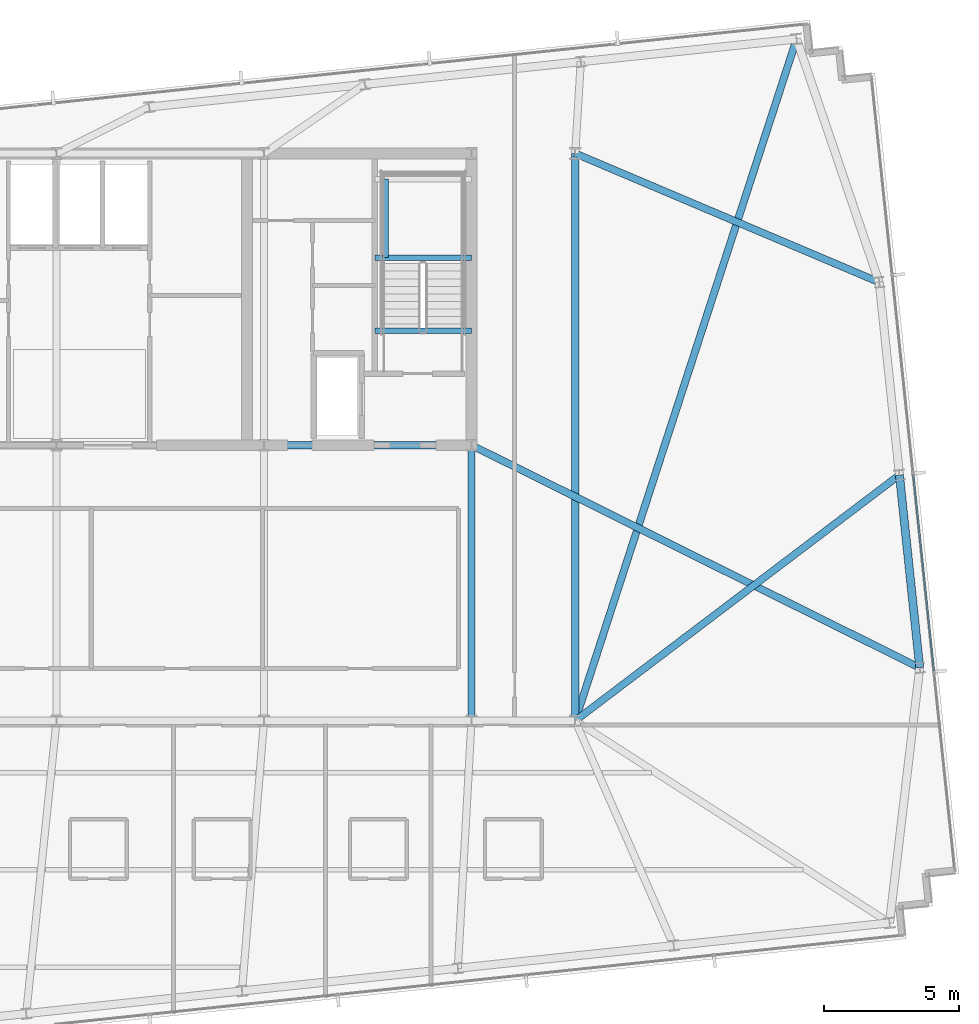
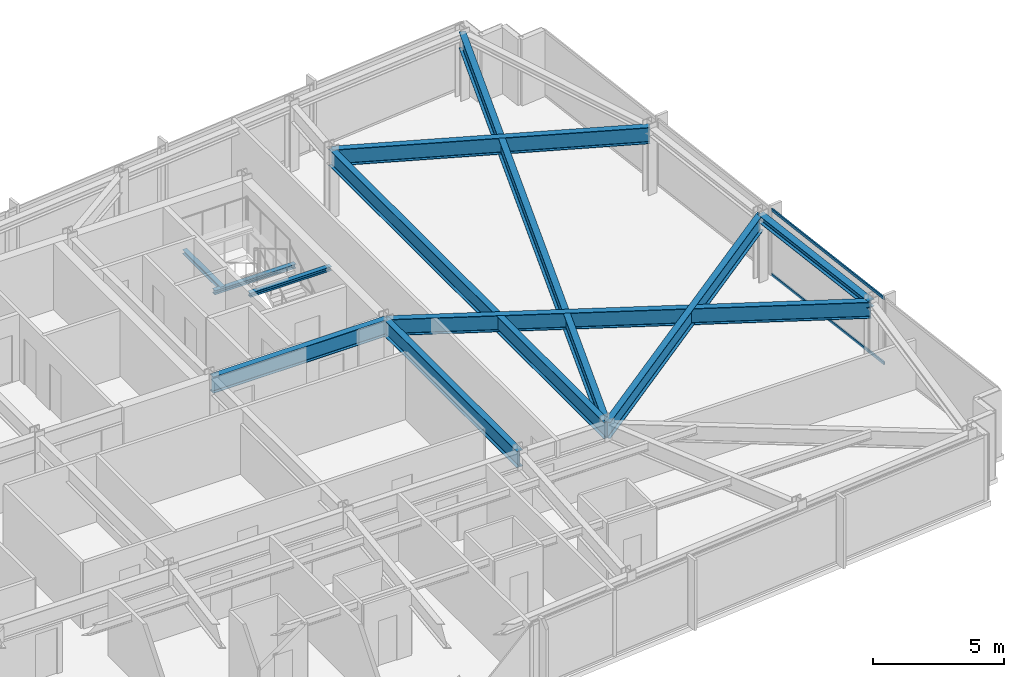
# One storey, part 18 of 33: 11 beams, 2 members, 1 element without a shape of its own.
"""IFC4 building model written with IfcOpenShell, lengths in metres."""

from ifc_helpers import new_model, si_unit, direction, frame, origin, origin_2d, place, context, subcontext, project, spatial, hollow_rectangle, i_section, extrude, material, material_profile, profile_set, type_object, element, aggregate, save


model = new_model("IFC4")

# Units and contexts
model_context = context("Model", 3, precision=1e-05, world=origin(), true_north=direction((0.0, 1.0)))
body_context = subcontext(model_context, "Body", "Model", "MODEL_VIEW")
ifc_project = project(units=[si_unit("LENGTHUNIT", "METRE"), si_unit("AREAUNIT", "SQUARE_METRE"), si_unit("VOLUMEUNIT", "CUBIC_METRE"), si_unit("PLANEANGLEUNIT", "RADIAN"), si_unit("MASSUNIT", "GRAM", prefix="KILO")], contexts=[model_context])

# Site, building, storey
site_placement = place(None, origin())
site = spatial("IfcSite", under=ifc_project, at=site_placement, CompositionType="ELEMENT")
building_placement = place(site_placement, origin())
building = spatial("IfcBuilding", under=site, at=building_placement, Name="Yelkora Congress Tower", CompositionType="ELEMENT")
storey_placement = place(building_placement, frame((0.0, 0.0, 237.5)))
storey = spatial("IfcBuildingStorey", under=building, at=storey_placement, Name="L66", CompositionType="ELEMENT", Elevation=237.5)

# Beams
ifc_material_1 = material(Name="Steel S355J2", Category="steel")
ifc_material_profile_1 = material_profile(ifc_material_1, i_section(OverallWidth=0.26708984375, OverallDepth=0.761962890625, WebThickness=0.014404296875, FlangeThickness=0.021484375, FilletRadius=0.01708984375, at=origin_2d()), Name="IPE 750x173")
ifc_profile_set_1 = profile_set([ifc_material_profile_1], Name="Steel S355J2")
beam_type_1 = type_object("IfcBeamType", Name="BM-GIRD-IPE750", PredefinedType="BEAM", material=ifc_profile_set_1)
beam_1_placement = place(storey_placement, frame((46.080078125, 35.39990234375, 2.698974609375), z_axis=(1.0, 0.0, 0.0), x_axis=(0.0, 1.0, 0.0)))
element("IfcBeam", 1, at=beam_1_placement, inside=storey, type_object=beam_type_1, Name="L66 Core South Girder 4", PredefinedType="BEAM", context=body_context, shape_type="SweptSolid", body=[
    extrude(i_section(OverallWidth=0.26708984375, OverallDepth=0.761962890625, WebThickness=0.014404296875, FlangeThickness=0.021484375, FilletRadius=0.01708984375, at=origin_2d()), origin(), (0.0, 0.0, 1.0), 7.679931640625),
])
beam_2_placement = place(storey_placement, frame((53.760009765625, 25.199951171875, 2.698974609375), z_axis=(0.0, 1.0, 0.0), x_axis=(-1.0, 0.0, 0.0)))
element("IfcBeam", 2, at=beam_2_placement, inside=storey, type_object=beam_type_1, Name="L66 Core Tie Girder MC-D5", PredefinedType="BEAM", context=body_context, shape_type="SweptSolid", body=[
    extrude(i_section(OverallWidth=0.26708984375, OverallDepth=0.761962890625, WebThickness=0.014404296875, FlangeThickness=0.021484375, FilletRadius=0.01708984375, at=origin_2d()), origin(), (0.0, 0.0, 1.0), 10.199951171875),
])
beam_3_placement = place(storey_placement, frame((57.60009765625, 25.199951171875, 2.698974609375), z_axis=(0.0, 1.0, 0.0), x_axis=(-1.0, 0.0, 0.0)))
element("IfcBeam", 3, at=beam_3_placement, inside=storey, type_object=beam_type_1, Name="L66 Neck Flank Girder MC-F2", PredefinedType="BEAM", context=body_context, shape_type="SweptSolid", body=[
    extrude(i_section(OverallWidth=0.26708984375, OverallDepth=0.761962890625, WebThickness=0.014404296875, FlangeThickness=0.021484375, FilletRadius=0.01708984375, at=origin_2d()), origin(), (0.0, 0.0, 1.0), 21.0),
])
beam_4_placement = place(storey_placement, frame((65.7958984375, 50.4365234375, 2.698974609375), z_axis=(-0.308878638672, -0.951101459663, 0.0), x_axis=(0.951101459663, -0.308878638672, 0.0)))
element("IfcBeam", 4, at=beam_4_placement, inside=storey, type_object=beam_type_1, Name="L66 Primary Frame Girder N07", PredefinedType="BEAM", context=body_context, shape_type="SweptSolid", body=[
    extrude(i_section(OverallWidth=0.26708984375, OverallDepth=0.761962890625, WebThickness=0.014404296875, FlangeThickness=0.021484375, FilletRadius=0.01708984375, at=origin_2d()), origin(), (0.0, 0.0, 1.0), 26.533935546875),
])
beam_5_placement = place(storey_placement, frame((70.35400390625, 27.160400390625, 2.698974609375), z_axis=(-0.895665070913, 0.444729221826, 0.0), x_axis=(-0.444729221826, -0.895665070913, 0.0)))
element("IfcBeam", 5, at=beam_5_placement, inside=storey, type_object=beam_type_1, Name="L66 Primary Frame Girder E01", PredefinedType="BEAM", context=body_context, shape_type="SweptSolid", body=[
    extrude(i_section(OverallWidth=0.26708984375, OverallDepth=0.761962890625, WebThickness=0.014404296875, FlangeThickness=0.021484375, FilletRadius=0.01708984375, at=origin_2d()), origin(), (0.0, 0.0, 1.0), 18.527099609375),
])
beam_6_placement = place(storey_placement, frame((69.60400390625, 34.296142578125, 2.698974609375), z_axis=(-0.797017901034, -0.603955681678, 0.0), x_axis=(0.603955681678, -0.797017901034, 0.0)))
element("IfcBeam", 6, at=beam_6_placement, inside=storey, type_object=beam_type_1, Name="L66 Primary Frame Girder E02", PredefinedType="BEAM", context=body_context, shape_type="SweptSolid", body=[
    extrude(i_section(OverallWidth=0.26708984375, OverallDepth=0.761962890625, WebThickness=0.014404296875, FlangeThickness=0.021484375, FilletRadius=0.01708984375, at=origin_2d()), origin(), (0.0, 0.0, 1.0), 15.06103515625),
])
beam_7_placement = place(storey_placement, frame((68.85400390625, 41.431884765625, 2.698974609375), z_axis=(-0.920767530621, 0.390111720606, 0.0), x_axis=(-0.390111720606, -0.920767530621, 0.0)))
element("IfcBeam", 7, at=beam_7_placement, inside=storey, type_object=beam_type_1, Name="L66 Primary Frame Girder E03", PredefinedType="BEAM", context=body_context, shape_type="SweptSolid", body=[
    extrude(i_section(OverallWidth=0.26708984375, OverallDepth=0.761962890625, WebThickness=0.014404296875, FlangeThickness=0.021484375, FilletRadius=0.01708984375, at=origin_2d()), origin(), (0.0, 0.0, 1.0), 12.222412109375),
])
ifc_material_profile_2 = material_profile(ifc_material_1, i_section(OverallWidth=0.199951171875, OverallDepth=0.18994140625, WebThickness=0.006591796875, FlangeThickness=0.010009765625, FilletRadius=0.01806640625, at=origin_2d()), Name="HEA 200")
ifc_profile_set_2 = profile_set([ifc_material_profile_2], Name="Steel S355J2")
beam_type_2 = type_object("IfcBeamType", Name="BM-LAND-HEA200", PredefinedType="BEAM", material=ifc_profile_set_2)
beam_8_placement = place(storey_placement, frame((50.179931640625, 42.340087890625, 1.334716796875), z_axis=(1.0, 0.0, 0.0), x_axis=(0.0, 1.0, 0.0)))
element("IfcBeam", 8, at=beam_8_placement, inside=storey, type_object=beam_type_2, Name="ST-02 L66 Landing Header Beam 1S", PredefinedType="BEAM", context=body_context, shape_type="SweptSolid", body=[
    extrude(i_section(OverallWidth=0.199951171875, OverallDepth=0.18994140625, WebThickness=0.006591796875, FlangeThickness=0.010009765625, FilletRadius=0.01806640625, at=origin_2d()), origin(), (0.0, 0.0, 1.0), 3.580078125),
])
beam_9_placement = place(storey_placement, frame((50.580078125, 42.340087890625, 1.334716796875), z_axis=(0.0, 1.0, 0.0), x_axis=(-1.0, 0.0, 0.0)))
element("IfcBeam", 9, at=beam_9_placement, inside=storey, type_object=beam_type_2, Name="ST-02 L66 Landing Trimmer Beam 1M", PredefinedType="BEAM", context=body_context, shape_type="SweptSolid", body=[
    extrude(i_section(OverallWidth=0.199951171875, OverallDepth=0.18994140625, WebThickness=0.006591796875, FlangeThickness=0.010009765625, FilletRadius=0.01806640625, at=origin_2d()), origin(), (0.0, 0.0, 1.0), 2.909912109375),
])
beam_10_placement = place(storey_placement, frame((50.179931640625, 39.639892578125, 2.85400390625), z_axis=(1.0, 0.0, 0.0), x_axis=(0.0, 1.0, 0.0)))
element("IfcBeam", 10, at=beam_10_placement, inside=storey, type_object=beam_type_2, Name="ST-02 L66 Floor Arrival Stringer Header Beam", PredefinedType="BEAM", context=body_context, shape_type="SweptSolid", body=[
    extrude(i_section(OverallWidth=0.199951171875, OverallDepth=0.18994140625, WebThickness=0.006591796875, FlangeThickness=0.010009765625, FilletRadius=0.01806640625, at=origin_2d()), origin(), (0.0, 0.0, 1.0), 3.580078125),
])
ifc_material_profile_3 = material_profile(ifc_material_1, i_section(OverallWidth=0.300048828125, OverallDepth=0.340087890625, WebThickness=0.011962890625, FlangeThickness=0.021484375, FilletRadius=0.027099609375, at=origin_2d()), Name="HEB 340")
ifc_profile_set_3 = profile_set([ifc_material_profile_3], Name="Steel S355J2")
beam_type_3 = type_object("IfcBeamType", Name="BM-SPAN-HEB340", PredefinedType="SPANDREL", material=ifc_profile_set_3)
beam_11_placement = place(storey_placement, frame((70.35400390625, 27.160400390625, 2.909912109375), z_axis=(-0.104528914631, 0.994521847928, 0.0), x_axis=(-0.994521847928, -0.104528914631, 0.0)))
element("IfcBeam", 11, at=beam_11_placement, inside=storey, type_object=beam_type_3, Name="L66 Perimeter Beam 10", PredefinedType="SPANDREL", context=body_context, shape_type="SweptSolid", body=[
    extrude(i_section(OverallWidth=0.300048828125, OverallDepth=0.340087890625, WebThickness=0.011962890625, FlangeThickness=0.021484375, FilletRadius=0.027099609375, at=origin_2d()), origin(), (0.0, 0.0, 1.0), 7.175048828125),
])

# Curtain wall, members
ifc_material_2 = material(Name="Anodised aluminium and insulated glass", Category="aluminium")
curtain_wall_type = type_object("IfcCurtainWallType", Name="CW-SYS-B4", PredefinedType="NOTDEFINED", material=ifc_material_2)
curtain_wall_placement = place(storey_placement, origin())
curtain_wall = element("IfcCurtainWall", 12, at=curtain_wall_placement, inside=storey, type_object=curtain_wall_type, Name="L66 Unitised Curtain Wall 15", PredefinedType="NOTDEFINED")
ifc_material_3 = material(Name="Anodised aluminium 6063-T6", Category="aluminium")
ifc_material_profile_4 = material_profile(ifc_material_3, hollow_rectangle(XDim=0.06005859375, YDim=0.1298828125, WallThickness=0.00390625, at=origin_2d()), Name="ALU 60x130x4")
ifc_profile_set_4 = profile_set([ifc_material_profile_4], Name="Anodised aluminium 6063-T6")
member_type = type_object("IfcMemberType", Name="MEM-TR-B4", PredefinedType="USERDEFINED", material=ifc_profile_set_4)
member_1_placement = place(storey_placement, frame((70.114501953125, 34.317138671875, 0.030029296875), z_axis=(0.104531896307, -0.994521534535, 0.0), x_axis=(0.994521534535, 0.104531896307, 0.0)))
member_1 = element("IfcMember", 13, at=member_1_placement, type_object=member_type, Name="CW-B4 transom 3.1", ObjectType="TRANSOM", PredefinedType="USERDEFINED", context=body_context, shape_type="SweptSolid", body=[
    extrude(hollow_rectangle(XDim=0.06005859375, YDim=0.1298828125, WallThickness=0.00390625, at=origin_2d()), origin(), (0.0, 0.0, 1.0), 7.31494140625),
])
member_2_placement = place(storey_placement, frame((70.114501953125, 34.317138671875, 3.050048828125), z_axis=(0.104531896307, -0.994521534535, 0.0), x_axis=(0.994521534535, 0.104531896307, 0.0)))
member_2 = element("IfcMember", 14, at=member_2_placement, type_object=member_type, Name="CW-B4 transom 3.2", ObjectType="TRANSOM", PredefinedType="USERDEFINED", context=body_context, shape_type="SweptSolid", body=[
    extrude(hollow_rectangle(XDim=0.06005859375, YDim=0.1298828125, WallThickness=0.00390625, at=origin_2d()), origin(), (0.0, 0.0, 1.0), 7.31494140625),
])
aggregate(curtain_wall, [member_1, member_2])

save(model, "model.ifc")
